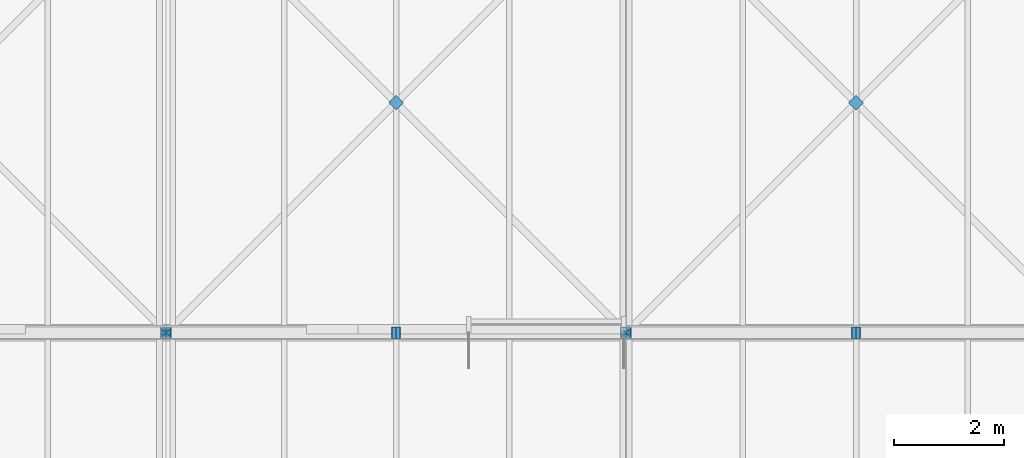
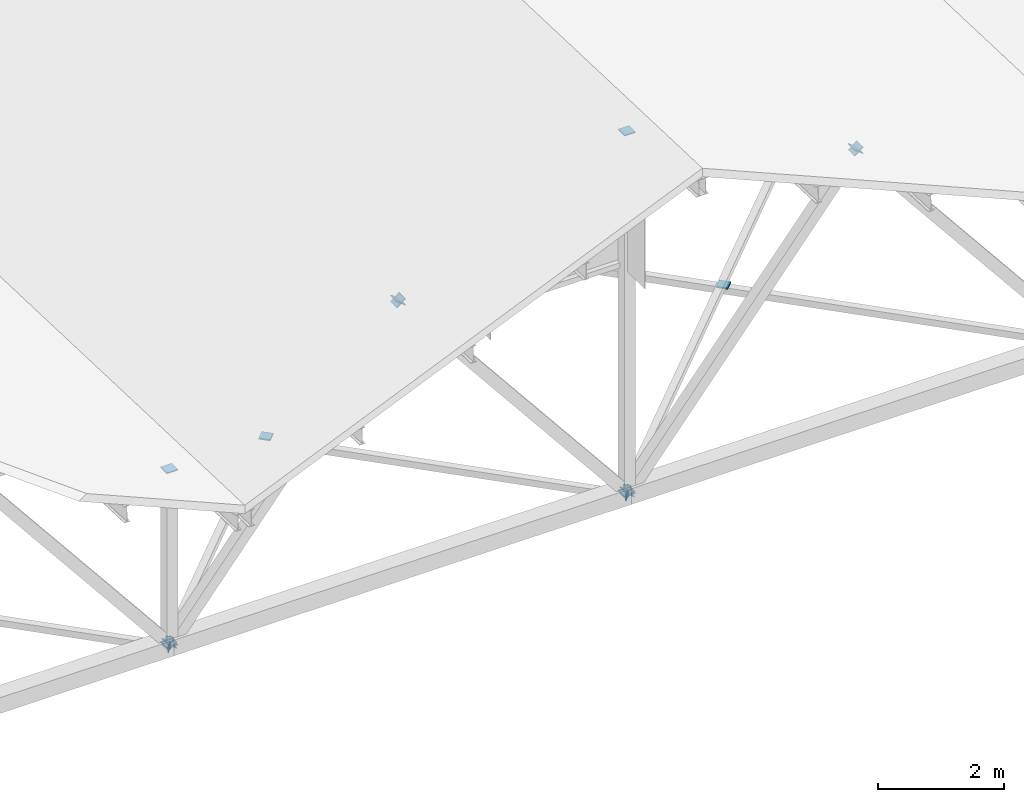
# One storey, part 50 of 76: 18 discrete accessories.
"""IFC4 building model written with IfcOpenShell, lengths in metres."""

from ifc_helpers import new_model, si_unit, direction, frame, origin, origin_2d, place, context, subcontext, project, spatial, rectangle, extrude, material, element, save


model = new_model("IFC4")

# Units and contexts
model_context = context("Model", 3, precision=1e-05, world=origin(), true_north=direction((0.0, 1.0)))
body_context = subcontext(model_context, "Body", "Model", "MODEL_VIEW")
ifc_project = project(units=[si_unit("LENGTHUNIT", "METRE"), si_unit("AREAUNIT", "SQUARE_METRE"), si_unit("VOLUMEUNIT", "CUBIC_METRE"), si_unit("PLANEANGLEUNIT", "RADIAN"), si_unit("MASSUNIT", "GRAM", prefix="KILO")], contexts=[model_context])

# Site, building, storey
site_placement = place(None, origin())
site = spatial("IfcSite", under=ifc_project, at=site_placement, CompositionType="ELEMENT")
building_placement = place(site_placement, origin())
building = spatial("IfcBuilding", under=site, at=building_placement, Name="Hlaing Beacon Police Headquarters", CompositionType="ELEMENT")
storey_placement = place(building_placement, frame((0.0, 0.0, 18.89990234375)))
storey = spatial("IfcBuildingStorey", under=building, at=storey_placement, Name="L04", CompositionType="ELEMENT", Elevation=18.89990234375)

# Discrete accessories
ifc_material = material(Name="Steel ASTM A572 Grade 50", Category="steel")
for number, where, z_axis, x_axis, name in (
    (1, (75.60009765625, 33.60009765625, -4.33740234375), (0.0, 0.0, -1.0), (1.0, 0.0, 0.0), "Gusset plate GP-237"),
    (2, (75.60009765625, 33.60009765625, -0.967529296875), (0.0, 0.0, 1.0), (1.0, 0.0, 0.0), "Gusset plate GP-238"),
    (3, (84.0, 33.60009765625, -4.33740234375), (0.0, 0.0, -1.0), (1.0, 0.0, 0.0), "Gusset plate GP-239"),
    (4, (84.0, 33.60009765625, 2.644287109375), (0.0, 0.0, 1.0), (1.0, 0.0, 0.0), "Gusset plate GP-240"),
):
    element("IfcDiscreteAccessory", number, at=place(storey_placement, frame(where, z_axis=z_axis, x_axis=x_axis)), inside=storey, material=ifc_material, Name=name, PredefinedType="BRACKET", context=body_context, shape_type="SweptSolid", body=[
        extrude(rectangle(XDim=0.203125, YDim=0.203125, at=origin_2d()), origin(), (0.0, 0.0, 1.0), 0.02001953125),
    ])
for number, where, z_axis, x_axis, name in (
    (5, (75.59521484375, 33.60009765625, -4.34130859375), (0.629108809234, 0.0, -0.777317249354), (0.0, 1.0, 0.0), "Gusset plate GP-250"),
    (6, (75.605224609375, 33.60009765625, -4.34130859375), (-0.629086713526, 0.0, -0.777335131629), (0.0, -1.0, 0.0), "Gusset plate GP-251"),
    (7, (79.794921875, 33.60009765625, 0.836181640625), (0.629086713526, 0.0, 0.777335131629), (0.0, 1.0, 0.0), "Gusset plate GP-252"),
    (8, (79.80517578125, 33.60009765625, 0.836181640625), (-0.629086713526, 0.0, 0.777335131629), (0.0, -1.0, 0.0), "Gusset plate GP-253"),
    (9, (83.994873046875, 33.60009765625, -4.34130859375), (0.629086713526, 0.0, -0.777335131629), (0.0, 1.0, 0.0), "Gusset plate GP-254"),
    (10, (84.005126953125, 33.60009765625, -4.34130859375), (-0.629086713526, 0.0, -0.777335131629), (0.0, -1.0, 0.0), "Gusset plate GP-255"),
    (11, (88.19482421875, 33.60009765625, 0.836181640625), (0.629086713526, 0.0, 0.777335131629), (0.0, 1.0, 0.0), "Gusset plate GP-256"),
    (12, (88.205078125, 33.60009765625, 0.836181640625), (-0.629086713526, 0.0, 0.777335131629), (0.0, -1.0, 0.0), "Gusset plate GP-257"),
):
    element("IfcDiscreteAccessory", number, at=place(storey_placement, frame(where, z_axis=z_axis, x_axis=x_axis)), inside=storey, material=ifc_material, Name=name, PredefinedType="BRACKET", context=body_context, shape_type="SweptSolid", body=[
        extrude(rectangle(XDim=0.203125, YDim=0.203125, at=origin_2d()), origin(), (0.0, 0.0, 1.0), 0.01611328125),
    ])
for number, where, z_axis, x_axis, name in (
    (13, (75.595947265625, 33.604248046875, -4.4208984375), (0.707117056885, -0.707096505339, 0.0), (0.707096505339, 0.707117056885, 0.0), "Gusset plate GP-390"),
    (14, (75.604248046875, 33.604248046875, -4.27392578125), (-0.707106781187, -0.707106781187, 0.0), (0.707106781187, -0.707106781187, 0.0), "Gusset plate GP-391"),
    (15, (83.99560546875, 33.6044921875, -4.4208984375), (0.707106781187, -0.707106781187, 0.0), (0.707106781187, 0.707106781187, 0.0), "Gusset plate GP-394"),
    (16, (84.004150390625, 33.604248046875, -4.27392578125), (-0.707106781187, -0.707106781187, 0.0), (0.707106781187, -0.707106781187, 0.0), "Gusset plate GP-395"),
):
    element("IfcDiscreteAccessory", number, at=place(storey_placement, frame(where, z_axis=z_axis, x_axis=x_axis)), inside=storey, material=ifc_material, Name=name, PredefinedType="BRACKET", context=body_context, shape_type="SweptSolid", body=[
        extrude(rectangle(XDim=0.126953125, YDim=0.126953125, at=origin_2d()), origin(), (0.0, 0.0, 1.0), 0.011962890625),
    ])
for number, where, z_axis, x_axis, name in (
    (17, (79.800048828125, 37.800048828125, -4.360595703125), (0.0, 0.0, 1.0), (0.707106781187, 0.707106781187, 0.0), "Node plate NP-003"),
    (18, (88.199951171875, 37.800048828125, -4.360595703125), (0.0, 0.0, 1.0), (0.707106781187, 0.707106781187, 0.0), "Node plate NP-004"),
):
    element("IfcDiscreteAccessory", number, at=place(storey_placement, frame(where, z_axis=z_axis, x_axis=x_axis)), inside=storey, material=ifc_material, Name=name, PredefinedType="BRACKET", context=body_context, shape_type="SweptSolid", body=[
        extrude(rectangle(XDim=0.1904296875, YDim=0.1904296875, at=origin_2d()), origin(), (0.0, 0.0, 1.0), 0.02587890625),
    ])

save(model, "model.ifc")
